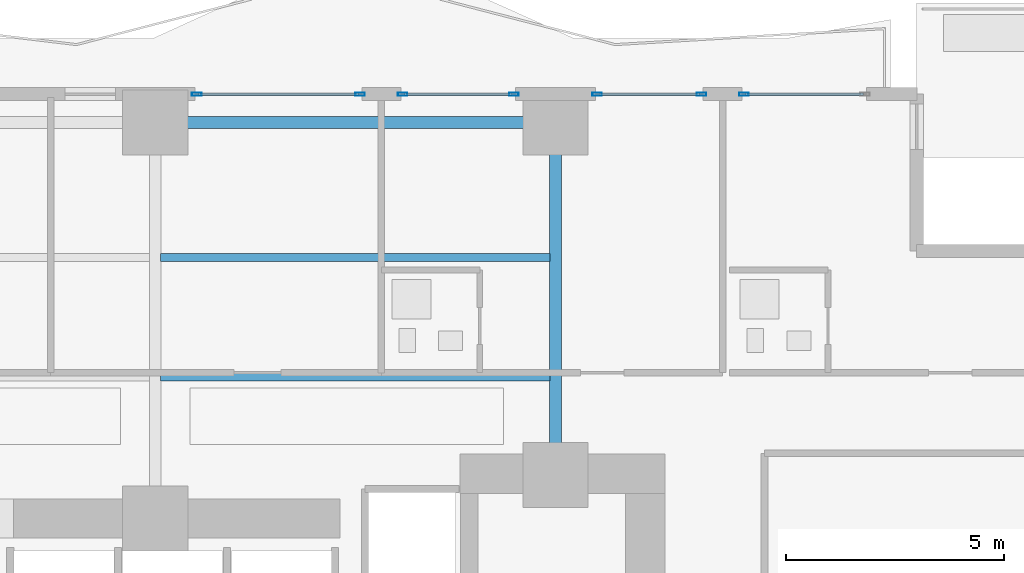
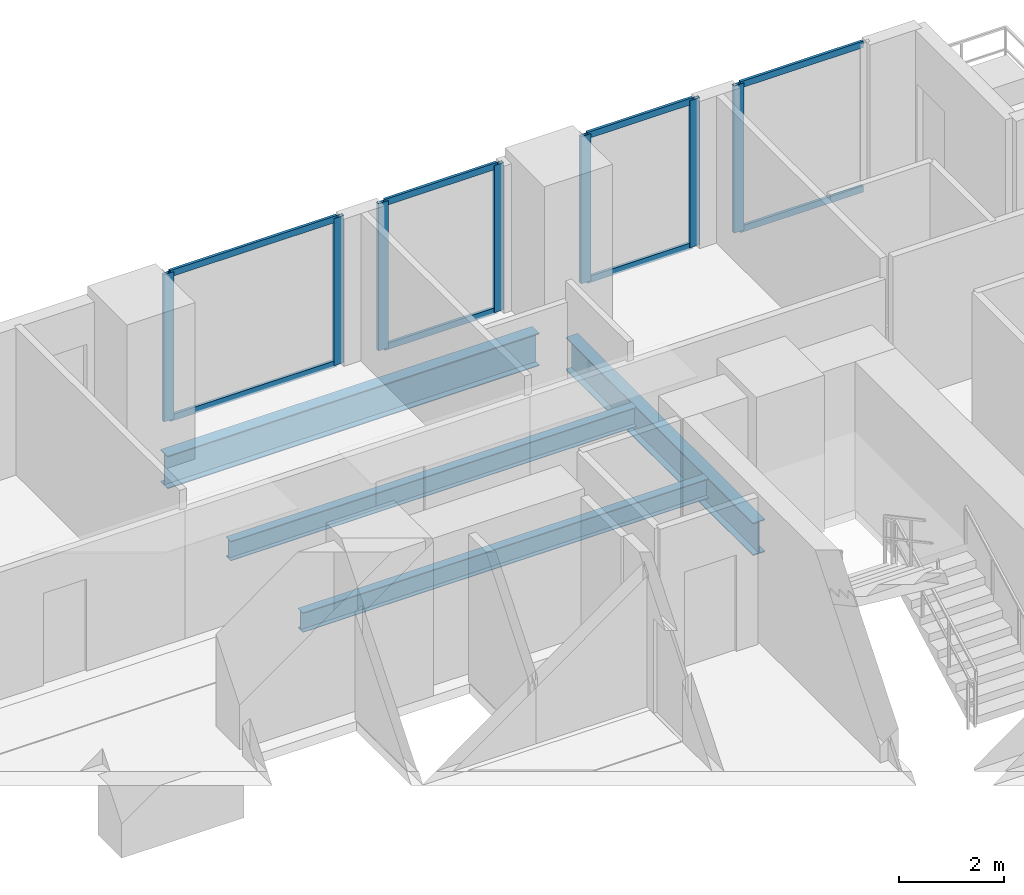
# One storey, part 16 of 28: 15 members, 4 beams, 4 elements without a shape of their own.
"""IFC4 building model written with IfcOpenShell, lengths in metres."""

from ifc_helpers import new_model, si_unit, direction, frame, origin, origin_2d, place, context, subcontext, project, spatial, hollow_rectangle, i_section, extrude, material, layer, layer_set, material_profile, profile_set, type_object, element, aggregate, save


model = new_model("IFC4")

# Units and contexts
model_context = context("Model", 3, precision=1e-05, world=origin(), true_north=direction((0.0, 1.0)))
body_context = subcontext(model_context, "Body", "Model", "MODEL_VIEW")
ifc_project = project(units=[si_unit("LENGTHUNIT", "METRE"), si_unit("AREAUNIT", "SQUARE_METRE"), si_unit("VOLUMEUNIT", "CUBIC_METRE"), si_unit("PLANEANGLEUNIT", "RADIAN"), si_unit("MASSUNIT", "GRAM", prefix="KILO")], contexts=[model_context])

# Site, building, storey
site_placement = place(None, origin())
site = spatial("IfcSite", under=ifc_project, at=site_placement, CompositionType="ELEMENT")
building_placement = place(site_placement, origin())
building = spatial("IfcBuilding", under=site, at=building_placement, Name="Zuhayl Quay Hotel", CompositionType="ELEMENT")
storey_placement = place(building_placement, frame((0.0, 0.0, 49.5)))
storey = spatial("IfcBuildingStorey", under=building, at=storey_placement, Name="L11", CompositionType="ELEMENT", Elevation=49.5)

# Beams
ifc_material_1 = material(Name="Steel ASTM A992 Grade 50", Category="steel")
ifc_material_profile_1 = material_profile(ifc_material_1, i_section(OverallWidth=0.26708984375, OverallDepth=0.761962890625, WebThickness=0.014404296875, FlangeThickness=0.021484375, at=origin_2d()), Name="W30X116")
ifc_profile_set_1 = profile_set([ifc_material_profile_1], Name="Steel ASTM A992 Grade 50")
beam_type_1 = type_object("IfcBeamType", Name="BM_B1_W30X116", PredefinedType="BEAM", material=ifc_profile_set_1)
beam_1_placement = place(storey_placement, frame((13.300048828125, 22.449951171875, -0.60107421875), z_axis=(-1.0, 0.0, 0.0), x_axis=(0.0, -1.0, 0.0)))
element("IfcBeam", 1, at=beam_1_placement, inside=storey, type_object=beam_type_1, Name="L11 Floor Beam RG_L11_07", PredefinedType="BEAM", context=body_context, shape_type="SweptSolid", body=[
    extrude(i_section(OverallWidth=0.26708984375, OverallDepth=0.761962890625, WebThickness=0.014404296875, FlangeThickness=0.021484375, at=origin_2d()), origin(), (0.0, 0.0, 1.0), 8.199951171875),
])
beam_2_placement = place(storey_placement, frame((13.800048828125, 14.800048828125, -0.60107421875), z_axis=(0.0, 1.0, 0.0), x_axis=(-1.0, 0.0, 0.0)))
element("IfcBeam", 2, at=beam_2_placement, inside=storey, type_object=beam_type_1, Name="L11 Floor Beam FG_N_L11_4", PredefinedType="BEAM", context=body_context, shape_type="SweptSolid", body=[
    extrude(i_section(OverallWidth=0.26708984375, OverallDepth=0.761962890625, WebThickness=0.014404296875, FlangeThickness=0.021484375, at=origin_2d()), origin(), (0.0, 0.0, 1.0), 7.14990234375),
])
ifc_material_profile_2 = material_profile(ifc_material_1, i_section(OverallWidth=0.18994140625, OverallDepth=0.45703125, WebThickness=0.009033203125, FlangeThickness=0.014404296875, at=origin_2d()), Name="W18X50")
ifc_profile_set_2 = profile_set([ifc_material_profile_2], Name="Steel ASTM A992 Grade 50")
beam_type_2 = type_object("IfcBeamType", Name="BM_J2_W18X50", PredefinedType="JOIST", material=ifc_profile_set_2)
for number, where, z_axis, x_axis, name in (
    (3, (4.7255859375, 16.60009765625, -0.448486328125), (1.0, 0.0, 0.0), (0.0, 1.0, 0.0), "L11 Floor Beam FJ_L11_1_3"),
    (4, (4.7255859375, 19.35009765625, -0.448486328125), (1.0, 0.0, 0.0), (0.0, 1.0, 0.0), "L11 Floor Beam FJ_L11_2_3"),
):
    element("IfcBeam", number, at=place(storey_placement, frame(where, z_axis=z_axis, x_axis=x_axis)), inside=storey, type_object=beam_type_2, Name=name, PredefinedType="JOIST", context=body_context, shape_type="SweptSolid", body=[
        extrude(i_section(OverallWidth=0.18994140625, OverallDepth=0.45703125, WebThickness=0.009033203125, FlangeThickness=0.014404296875, at=origin_2d()), origin(), (0.0, 0.0, 1.0), 8.948974609375),
    ])

# Curtain wall, members
ifc_material_2 = material(Name="Anodised Aluminium 6063-T6", Category="aluminium")
ifc_layer = layer(ifc_material_2, 0.18994140625, Name="Anodised Aluminium 6063-T6", Category="aluminium")
ifc_layer_set = layer_set([ifc_layer], Name="Anodised Aluminium 6063-T6")
curtain_wall_type = type_object("IfcCurtainWallType", Name="CW_SYS_Z1", PredefinedType="USERDEFINED", material=ifc_layer_set)
curtain_wall_1_placement = place(storey_placement, origin())
curtain_wall_1 = element("IfcCurtainWall", 5, at=curtain_wall_1_placement, inside=storey, type_object=curtain_wall_type, Name="L11 Curtain Wall ENV_L11_N_CW3", ObjectType="UNITISED CURTAIN WALL", PredefinedType="USERDEFINED")
ifc_material_3 = material(Name="Black-anodised aluminium 6063-T6", Category="aluminium")
ifc_material_profile_3 = material_profile(ifc_material_3, hollow_rectangle(XDim=0.074951171875, YDim=0.219970703125, WallThickness=0.00390625, at=origin_2d()), Name="ALU220X75")
ifc_profile_set_3 = profile_set([ifc_material_profile_3], Name="Black-anodised aluminium 6063-T6")
member_type_1 = type_object("IfcMemberType", Name="MB_CW_MUL_220", PredefinedType="MULLION", material=ifc_profile_set_3)
member_1_placement = place(storey_placement, frame((5.5576171875, 23.10009765625, 0.0), z_axis=(0.0, 0.0, 1.0), x_axis=(0.0, 1.0, 0.0)))
member_1 = element("IfcMember", 6, at=member_1_placement, type_object=member_type_1, Name="CW-Z1 mullion 1", PredefinedType="MULLION", context=body_context, shape_type="SweptSolid", body=[
    extrude(hollow_rectangle(XDim=0.074951171875, YDim=0.219970703125, WallThickness=0.00390625, at=origin_2d()), origin(), (0.0, 0.0, 1.0), 3.429931640625),
])
member_2_placement = place(storey_placement, frame((9.3125, 23.10009765625, 0.0), z_axis=(0.0, 0.0, 1.0), x_axis=(0.0, 1.0, 0.0)))
member_2 = element("IfcMember", 7, at=member_2_placement, type_object=member_type_1, Name="CW-Z1 mullion 2", PredefinedType="MULLION", context=body_context, shape_type="SweptSolid", body=[
    extrude(hollow_rectangle(XDim=0.074951171875, YDim=0.219970703125, WallThickness=0.00390625, at=origin_2d()), origin(), (0.0, 0.0, 1.0), 3.429931640625),
])

curtain_wall_2_placement = place(storey_placement, origin())
curtain_wall_2 = element("IfcCurtainWall", 8, at=curtain_wall_2_placement, inside=storey, type_object=curtain_wall_type, Name="L11 Curtain Wall ENV_L11_N_CW4", ObjectType="UNITISED CURTAIN WALL", PredefinedType="USERDEFINED")
member_3_placement = place(storey_placement, frame((10.28759765625, 23.10009765625, 0.0), z_axis=(0.0, 0.0, 1.0), x_axis=(0.0, 1.0, 0.0)))
member_3 = element("IfcMember", 9, at=member_3_placement, type_object=member_type_1, Name="CW-Z1 mullion 1", PredefinedType="MULLION", context=body_context, shape_type="SweptSolid", body=[
    extrude(hollow_rectangle(XDim=0.074951171875, YDim=0.219970703125, WallThickness=0.00390625, at=origin_2d()), origin(), (0.0, 0.0, 1.0), 3.429931640625),
])
member_4_placement = place(storey_placement, frame((12.842529296875, 23.10009765625, 0.0), z_axis=(0.0, 0.0, 1.0), x_axis=(0.0, 1.0, 0.0)))
member_4 = element("IfcMember", 10, at=member_4_placement, type_object=member_type_1, Name="CW-Z1 mullion 2", PredefinedType="MULLION", context=body_context, shape_type="SweptSolid", body=[
    extrude(hollow_rectangle(XDim=0.074951171875, YDim=0.219970703125, WallThickness=0.00390625, at=origin_2d()), origin(), (0.0, 0.0, 1.0), 3.429931640625),
])

curtain_wall_3_placement = place(storey_placement, origin())
curtain_wall_3 = element("IfcCurtainWall", 11, at=curtain_wall_3_placement, inside=storey, type_object=curtain_wall_type, Name="L11 Curtain Wall ENV_L11_N_CW5", ObjectType="UNITISED CURTAIN WALL", PredefinedType="USERDEFINED")
member_5_placement = place(storey_placement, frame((14.757568359375, 23.10009765625, 0.0), z_axis=(0.0, 0.0, 1.0), x_axis=(0.0, 1.0, 0.0)))
member_5 = element("IfcMember", 12, at=member_5_placement, type_object=member_type_1, Name="CW-Z1 mullion 1", PredefinedType="MULLION", context=body_context, shape_type="SweptSolid", body=[
    extrude(hollow_rectangle(XDim=0.074951171875, YDim=0.219970703125, WallThickness=0.00390625, at=origin_2d()), origin(), (0.0, 0.0, 1.0), 3.429931640625),
])
member_6_placement = place(storey_placement, frame((17.152587890625, 23.10009765625, 0.0), z_axis=(0.0, 0.0, 1.0), x_axis=(0.0, 1.0, 0.0)))
member_6 = element("IfcMember", 13, at=member_6_placement, type_object=member_type_1, Name="CW-Z1 mullion 2", PredefinedType="MULLION", context=body_context, shape_type="SweptSolid", body=[
    extrude(hollow_rectangle(XDim=0.074951171875, YDim=0.219970703125, WallThickness=0.00390625, at=origin_2d()), origin(), (0.0, 0.0, 1.0), 3.429931640625),
])

# Curtain wall, member
curtain_wall_4_placement = place(storey_placement, origin())
curtain_wall_4 = element("IfcCurtainWall", 14, at=curtain_wall_4_placement, inside=storey, type_object=curtain_wall_type, Name="L11 Curtain Wall ENV_L11_N_CW6", ObjectType="UNITISED CURTAIN WALL", PredefinedType="USERDEFINED")
member_7_placement = place(storey_placement, frame((18.12744140625, 23.10009765625, 0.0), z_axis=(0.0, 0.0, 1.0), x_axis=(0.0, 1.0, 0.0)))
member_7 = element("IfcMember", 15, at=member_7_placement, type_object=member_type_1, Name="CW-Z1 mullion 1", PredefinedType="MULLION", context=body_context, shape_type="SweptSolid", body=[
    extrude(hollow_rectangle(XDim=0.074951171875, YDim=0.219970703125, WallThickness=0.00390625, at=origin_2d()), origin(), (0.0, 0.0, 1.0), 3.429931640625),
])

# Member
ifc_material_profile_4 = material_profile(ifc_material_3, hollow_rectangle(XDim=0.06005859375, YDim=0.14990234375, WallThickness=0.00341796875, at=origin_2d()), Name="ALU150X60")
ifc_profile_set_4 = profile_set([ifc_material_profile_4], Name="Black-anodised aluminium 6063-T6")
member_type_2 = type_object("IfcMemberType", Name="MB_CW_TRN_150", PredefinedType="USERDEFINED", material=ifc_profile_set_4)
member_8_placement = place(storey_placement, frame((5.594970703125, 23.10009765625, 0.030029296875), z_axis=(1.0, 0.0, 0.0), x_axis=(0.0, 1.0, 0.0)))
member_8 = element("IfcMember", 16, at=member_8_placement, type_object=member_type_2, Name="CW-Z1 transom 1.1", ObjectType="TRANSOM", PredefinedType="USERDEFINED", context=body_context, shape_type="SweptSolid", body=[
    extrude(hollow_rectangle(XDim=0.06005859375, YDim=0.14990234375, WallThickness=0.00341796875, at=origin_2d()), origin(), (0.0, 0.0, 1.0), 3.679931640625),
])

member_9_placement = place(storey_placement, frame((5.594970703125, 23.10009765625, 3.39990234375), z_axis=(1.0, 0.0, 0.0), x_axis=(0.0, 1.0, 0.0)))
member_9 = element("IfcMember", 17, at=member_9_placement, type_object=member_type_2, Name="CW-Z1 transom 1.2", ObjectType="TRANSOM", PredefinedType="USERDEFINED", context=body_context, shape_type="SweptSolid", body=[
    extrude(hollow_rectangle(XDim=0.06005859375, YDim=0.14990234375, WallThickness=0.00341796875, at=origin_2d()), origin(), (0.0, 0.0, 1.0), 3.679931640625),
])

aggregate(curtain_wall_1, [member_1, member_2, member_8, member_9])

member_10_placement = place(storey_placement, frame((10.324951171875, 23.10009765625, 0.030029296875), z_axis=(1.0, 0.0, 0.0), x_axis=(0.0, 1.0, 0.0)))
member_10 = element("IfcMember", 18, at=member_10_placement, type_object=member_type_2, Name="CW-Z1 transom 1.1", ObjectType="TRANSOM", PredefinedType="USERDEFINED", context=body_context, shape_type="SweptSolid", body=[
    extrude(hollow_rectangle(XDim=0.06005859375, YDim=0.14990234375, WallThickness=0.00341796875, at=origin_2d()), origin(), (0.0, 0.0, 1.0), 2.47998046875),
])

member_11_placement = place(storey_placement, frame((10.324951171875, 23.10009765625, 3.39990234375), z_axis=(1.0, 0.0, 0.0), x_axis=(0.0, 1.0, 0.0)))
member_11 = element("IfcMember", 19, at=member_11_placement, type_object=member_type_2, Name="CW-Z1 transom 1.2", ObjectType="TRANSOM", PredefinedType="USERDEFINED", context=body_context, shape_type="SweptSolid", body=[
    extrude(hollow_rectangle(XDim=0.06005859375, YDim=0.14990234375, WallThickness=0.00341796875, at=origin_2d()), origin(), (0.0, 0.0, 1.0), 2.47998046875),
])

aggregate(curtain_wall_2, [member_3, member_4, member_10, member_11])

member_12_placement = place(storey_placement, frame((14.794921875, 23.10009765625, 0.030029296875), z_axis=(1.0, 0.0, 0.0), x_axis=(0.0, 1.0, 0.0)))
member_12 = element("IfcMember", 20, at=member_12_placement, type_object=member_type_2, Name="CW-Z1 transom 1.1", ObjectType="TRANSOM", PredefinedType="USERDEFINED", context=body_context, shape_type="SweptSolid", body=[
    extrude(hollow_rectangle(XDim=0.06005859375, YDim=0.14990234375, WallThickness=0.00341796875, at=origin_2d()), origin(), (0.0, 0.0, 1.0), 2.320068359375),
])

member_13_placement = place(storey_placement, frame((14.794921875, 23.10009765625, 3.39990234375), z_axis=(1.0, 0.0, 0.0), x_axis=(0.0, 1.0, 0.0)))
member_13 = element("IfcMember", 21, at=member_13_placement, type_object=member_type_2, Name="CW-Z1 transom 1.2", ObjectType="TRANSOM", PredefinedType="USERDEFINED", context=body_context, shape_type="SweptSolid", body=[
    extrude(hollow_rectangle(XDim=0.06005859375, YDim=0.14990234375, WallThickness=0.00341796875, at=origin_2d()), origin(), (0.0, 0.0, 1.0), 2.320068359375),
])

aggregate(curtain_wall_3, [member_5, member_6, member_12, member_13])

member_14_placement = place(storey_placement, frame((18.1650390625, 23.10009765625, 0.030029296875), z_axis=(1.0, 0.0, 0.0), x_axis=(0.0, 1.0, 0.0)))
member_14 = element("IfcMember", 22, at=member_14_placement, type_object=member_type_2, Name="CW-Z1 transom 1.1", ObjectType="TRANSOM", PredefinedType="USERDEFINED", context=body_context, shape_type="SweptSolid", body=[
    extrude(hollow_rectangle(XDim=0.06005859375, YDim=0.14990234375, WallThickness=0.00341796875, at=origin_2d()), origin(), (0.0, 0.0, 1.0), 2.7099609375),
])

member_15_placement = place(storey_placement, frame((18.1650390625, 23.10009765625, 3.39990234375), z_axis=(1.0, 0.0, 0.0), x_axis=(0.0, 1.0, 0.0)))
member_15 = element("IfcMember", 23, at=member_15_placement, type_object=member_type_2, Name="CW-Z1 transom 1.2", ObjectType="TRANSOM", PredefinedType="USERDEFINED", context=body_context, shape_type="SweptSolid", body=[
    extrude(hollow_rectangle(XDim=0.06005859375, YDim=0.14990234375, WallThickness=0.00341796875, at=origin_2d()), origin(), (0.0, 0.0, 1.0), 2.7099609375),
])

aggregate(curtain_wall_4, [member_7, member_14, member_15])

save(model, "model.ifc")
